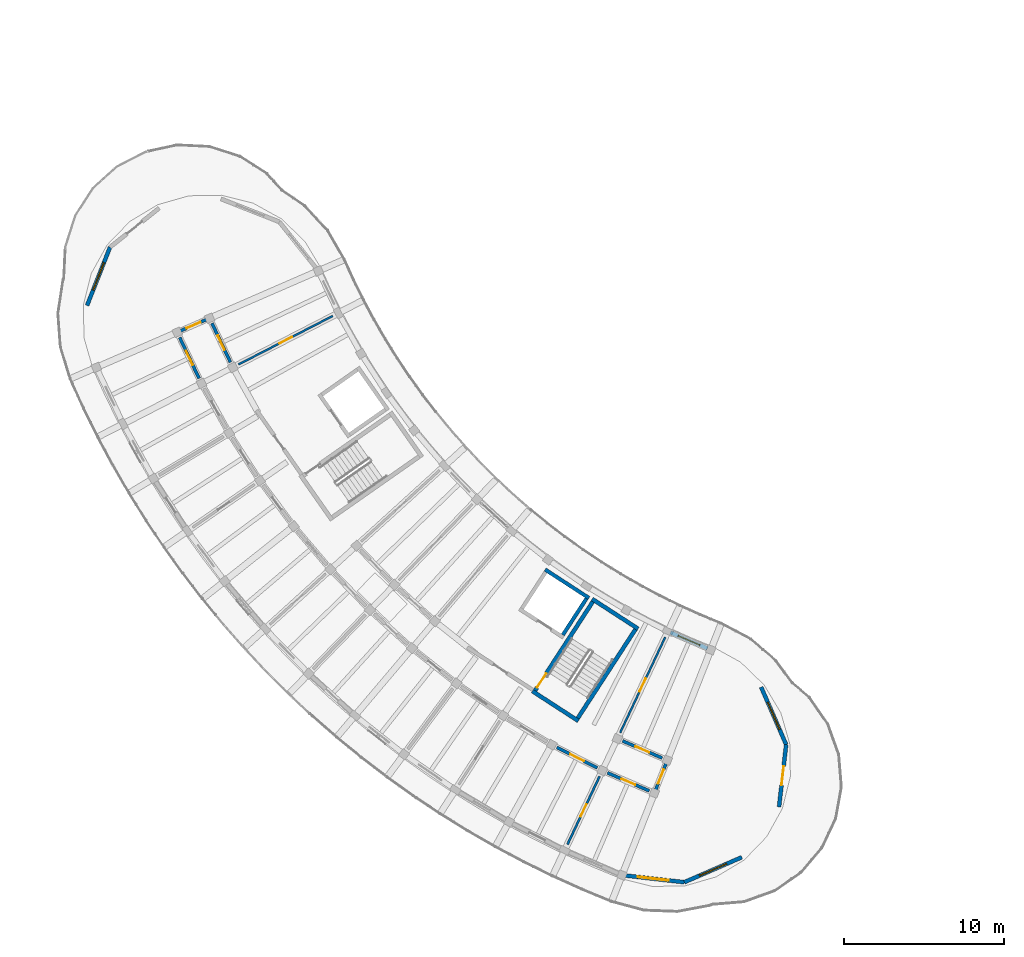
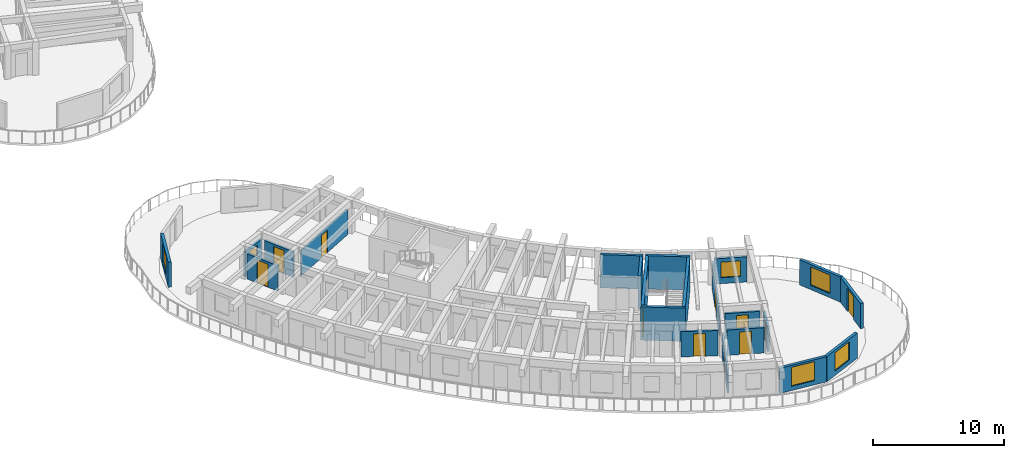
# One storey, part 24 of 56: 22 walls, 12 doors, 5 windows, 17 openings.
"""IFC4 building model written with IfcOpenShell, lengths in metres."""

from ifc_helpers import new_model, si_unit, direction, frame, frame_2d, origin, place, context, subcontext, project, spatial, rectangle, extrude, material, layer, layer_set, type_object, element, fill, save


model = new_model("IFC4")

# Units and contexts
model_context = context("Model", 3, precision=1e-05, world=origin(), true_north=direction((0.0, 1.0)))
body_context = subcontext(model_context, "Body", "Model", "MODEL_VIEW")
ifc_project = project(units=[si_unit("LENGTHUNIT", "METRE"), si_unit("AREAUNIT", "SQUARE_METRE"), si_unit("VOLUMEUNIT", "CUBIC_METRE"), si_unit("PLANEANGLEUNIT", "RADIAN"), si_unit("MASSUNIT", "GRAM", prefix="KILO")], contexts=[model_context])

# Site, building, storey
site_placement = place(None, origin())
site = spatial("IfcSite", under=ifc_project, at=site_placement, CompositionType="ELEMENT")
building_placement = place(site_placement, origin())
building = spatial("IfcBuilding", under=site, at=building_placement, Name="Tanwirah Colonnade Gardens", CompositionType="ELEMENT")
storey_placement = place(building_placement, frame((0.0, 0.0, 29.0)))
storey = spatial("IfcBuildingStorey", under=building, at=storey_placement, Name="L08", CompositionType="ELEMENT", Elevation=29.0)

# Wall, opening, window
ifc_material_1 = material(Name="Limestone architectural precast concrete C40/50", Category="masonry")
ifc_layer_1 = layer(ifc_material_1, 0.2451171875)
ifc_layer_set_1 = layer_set([ifc_layer_1], Name="Limestone architectural precast concrete C40/50")
wall_type_1 = type_object("IfcWallType", Name="EW-PC245", PredefinedType="SOLIDWALL", material=ifc_layer_set_1)
wall_1_placement = place(storey_placement, frame((46.1904296875, 24.2314453125, 0.0), z_axis=(0.0, 0.0, 1.0), x_axis=(0.917932416464, -0.396736787813, 0.0)))
wall_1 = element("IfcWall", 1, at=wall_1_placement, inside=storey, type_object=wall_type_1, Name="Block C L08 IN Precast Facade Wall 13", PredefinedType="SOLIDWALL", context=body_context, shape_type="SweptSolid", body=[
    extrude(rectangle(XDim=2.518798828125, YDim=0.2451171875, at=frame_2d((1.25927734375, 0.0))), origin(), (0.0, 0.0, 1.0), 2.35498046875),
])
opening_1_placement = place(wall_1_placement, frame((0.519287109375, 0.0, 0.550048828125)))
opening_1 = element("IfcOpeningElement", 2, at=opening_1_placement, cuts=wall_1, Name="Opening WIN-U09", PredefinedType="OPENING", context=body_context, shape_type="SweptSolid", body=[
    extrude(rectangle(XDim=1.47998046875, YDim=1.4599609375, at=frame_2d((0.739990234375, 0.72998046875))), frame((0.0, 0.132568359375, 0.0), z_axis=(0.0, -1.0, 0.0), x_axis=(1.0, 0.0, 0.0)), (0.0, 0.0, 1.0), 0.26513671875),
])
ifc_material_2 = material(Name="Thermally broken bronze aluminium and solar low-E double glazing", Category="aluminium")
window_type_1 = type_object("IfcWindowType", Name="WIN-U09", PartitioningType="DOUBLE_PANEL_VERTICAL", PredefinedType="WINDOW", material=ifc_material_2)
window_1_placement = place(opening_1_placement, origin())
window_1 = element("IfcWindow", 3, at=window_1_placement, inside=storey, type_object=window_type_1, Name="Facade window C-L08-IN-13", OverallHeight=1.4599609375, OverallWidth=1.47998046875, PartitioningType="SINGLE_PANEL", PredefinedType="WINDOW", context=body_context, shape_type="SweptSolid", body=[
    extrude(rectangle(XDim=1.47998046875, YDim=1.4599609375, at=frame_2d((0.739990234375, 0.72998046875))), frame((0.0, 0.030029296875, 0.0), z_axis=(0.0, -1.0, 0.0), x_axis=(1.0, 0.0, 0.0)), (0.0, 0.0, 1.0), 0.06005859375),
])
fill(opening_1, window_1)

wall_2_placement = place(storey_placement, frame((9.8115234375, 44.61962890625, 0.0), z_axis=(0.0, 0.0, 1.0), x_axis=(0.366452412926, 0.930436794769, 0.0)))
wall_2 = element("IfcWall", 4, at=wall_2_placement, inside=storey, type_object=wall_type_1, Name="Block C L08 START Rounded End Wall 1", PredefinedType="SOLIDWALL", context=body_context, shape_type="SweptSolid", body=[
    extrude(rectangle(XDim=3.908203125, YDim=0.2451171875, at=frame_2d((1.9541015625, 0.0))), origin(), (0.0, 0.0, 1.0), 2.35498046875),
])
opening_2_placement = place(wall_2_placement, frame((1.029052734375, 0.0, 0.39990234375)))
opening_2 = element("IfcOpeningElement", 5, at=opening_2_placement, cuts=wall_2, Name="Opening WIN-END1", PredefinedType="OPENING", context=body_context, shape_type="SweptSolid", body=[
    extrude(rectangle(XDim=1.85009765625, YDim=1.719970703125, at=frame_2d((0.925048828125, 0.85986328125))), frame((0.0, 0.132568359375, 0.0), z_axis=(0.0, -1.0, 0.0), x_axis=(1.0, 0.0, 0.0)), (0.0, 0.0, 1.0), 0.26513671875),
])
window_type_2 = type_object("IfcWindowType", Name="WIN-END1", PartitioningType="TRIPLE_PANEL_VERTICAL", PredefinedType="WINDOW", material=ifc_material_2)
window_2_placement = place(opening_2_placement, origin())
window_2 = element("IfcWindow", 6, at=window_2_placement, inside=storey, type_object=window_type_2, Name="Rounded corner window C-L08-START-1", OverallHeight=1.719970703125, OverallWidth=1.85009765625, PartitioningType="SINGLE_PANEL", PredefinedType="WINDOW", context=body_context, shape_type="SweptSolid", body=[
    extrude(rectangle(XDim=1.85009765625, YDim=1.719970703125, at=frame_2d((0.925048828125, 0.85986328125))), frame((0.0, 0.030029296875, 0.0), z_axis=(0.0, -1.0, 0.0), x_axis=(1.0, 0.0, 0.0)), (0.0, 0.0, 1.0), 0.06005859375),
])
fill(opening_2, window_2)

wall_3_placement = place(storey_placement, frame((51.8505859375, 20.818359375, 0.0), z_axis=(0.0, 0.0, 1.0), x_axis=(0.398723827264, -0.917071049359, 0.0)))
wall_3 = element("IfcWall", 7, at=wall_3_placement, inside=storey, type_object=wall_type_1, Name="Block C L08 END Rounded End Wall 1", PredefinedType="SOLIDWALL", context=body_context, shape_type="SweptSolid", body=[
    extrude(rectangle(XDim=3.908447265625, YDim=0.2451171875, at=frame_2d((1.9541015625, 0.0))), origin(), (0.0, 0.0, 1.0), 2.35498046875),
])
opening_3_placement = place(wall_3_placement, frame((1.029052734375, 0.0, 0.39990234375)))
opening_3 = element("IfcOpeningElement", 8, at=opening_3_placement, cuts=wall_3, Name="Opening WIN-END1", PredefinedType="OPENING", context=body_context, shape_type="SweptSolid", body=[
    extrude(rectangle(XDim=1.85009765625, YDim=1.719970703125, at=frame_2d((0.925048828125, 0.85986328125))), frame((0.0, 0.132568359375, 0.0), z_axis=(0.0, -1.0, 0.0), x_axis=(1.0, 0.0, 0.0)), (0.0, 0.0, 1.0), 0.26513671875),
])
window_3_placement = place(opening_3_placement, origin())
window_3 = element("IfcWindow", 9, at=window_3_placement, inside=storey, type_object=window_type_2, Name="Rounded corner window C-L08-END-1", OverallHeight=1.719970703125, OverallWidth=1.85009765625, PartitioningType="SINGLE_PANEL", PredefinedType="WINDOW", context=body_context, shape_type="SweptSolid", body=[
    extrude(rectangle(XDim=1.85009765625, YDim=1.719970703125, at=frame_2d((0.925048828125, 0.85986328125))), frame((0.0, 0.030029296875, 0.0), z_axis=(0.0, -1.0, 0.0), x_axis=(1.0, 0.0, 0.0)), (0.0, 0.0, 1.0), 0.06005859375),
])
fill(opening_3, window_3)

# Wall, opening, door
wall_4_placement = place(storey_placement, frame((53.408935546875, 17.234130859375, 0.0), z_axis=(0.0, 0.0, 1.0), x_axis=(-0.113201245525, -0.993572079928, 0.0)))
wall_4 = element("IfcWall", 10, at=wall_4_placement, inside=storey, type_object=wall_type_1, Name="Block C L08 END Rounded End Wall 2", PredefinedType="SOLIDWALL", context=body_context, shape_type="SweptSolid", body=[
    extrude(rectangle(XDim=3.907958984375, YDim=0.2451171875, at=frame_2d((1.9541015625, 0.0))), origin(), (0.0, 0.0, 1.0), 2.35498046875),
])
opening_4_placement = place(wall_4_placement, frame((1.35400390625, 0.0, 0.0)))
opening_4 = element("IfcOpeningElement", 11, at=opening_4_placement, cuts=wall_4, Name="Opening L08-ED167", PredefinedType="OPENING", context=body_context, shape_type="SweptSolid", body=[
    extrude(rectangle(XDim=1.199951171875, YDim=2.14990234375, at=frame_2d((0.60009765625, 1.074951171875))), frame((0.0, 0.132568359375, 0.0), z_axis=(0.0, -1.0, 0.0), x_axis=(1.0, 0.0, 0.0)), (0.0, 0.0, 1.0), 0.26513671875),
])
ifc_material_3 = material(Name="Bronze aluminium glazed terrace door", Category="aluminium")
door_type_1 = type_object("IfcDoorType", Name="ED-TER120", OperationType="NOTDEFINED", PredefinedType="DOOR", material=ifc_material_3)
door_1_placement = place(opening_4_placement, origin())
door_1 = element("IfcDoor", 12, at=door_1_placement, inside=storey, type_object=door_type_1, Name="Stepped corner terrace door L08-ED167", OperationType="SINGLE_SWING_LEFT", OverallHeight=2.14990234375, OverallWidth=1.199951171875, PredefinedType="DOOR", context=body_context, shape_type="SweptSolid", body=[
    extrude(rectangle(XDim=1.199951171875, YDim=2.14990234375, at=frame_2d((0.60009765625, 1.074951171875))), frame((0.0, 0.02490234375, 0.0), z_axis=(0.0, -1.0, 0.0), x_axis=(1.0, 0.0, 0.0)), (0.0, 0.0, 1.0), 0.050048828125),
])
fill(opening_4, door_1)

# Wall, opening, window
wall_5_placement = place(storey_placement, frame((50.641845703125, 10.20947265625, 0.0), z_axis=(0.0, 0.0, 1.0), x_axis=(-0.917061117534, -0.398746669838, 0.0)))
wall_5 = element("IfcWall", 13, at=wall_5_placement, inside=storey, type_object=wall_type_1, Name="Block C L08 END Rounded End Wall 4", PredefinedType="SOLIDWALL", context=body_context, shape_type="SweptSolid", body=[
    extrude(rectangle(XDim=3.908203125, YDim=0.2451171875, at=frame_2d((1.9541015625, 0.0))), origin(), (0.0, 0.0, 1.0), 2.35498046875),
])
opening_5_placement = place(wall_5_placement, frame((1.029052734375, 0.0, 0.39990234375)))
opening_5 = element("IfcOpeningElement", 14, at=opening_5_placement, cuts=wall_5, Name="Opening WIN-END1", PredefinedType="OPENING", context=body_context, shape_type="SweptSolid", body=[
    extrude(rectangle(XDim=1.85009765625, YDim=1.719970703125, at=frame_2d((0.925048828125, 0.85986328125))), frame((0.0, 0.132568359375, 0.0), z_axis=(0.0, -1.0, 0.0), x_axis=(1.0, 0.0, 0.0)), (0.0, 0.0, 1.0), 0.26513671875),
])
window_4_placement = place(opening_5_placement, origin())
window_4 = element("IfcWindow", 15, at=window_4_placement, inside=storey, type_object=window_type_2, Name="Rounded corner window C-L08-END-4", OverallHeight=1.719970703125, OverallWidth=1.85009765625, PartitioningType="SINGLE_PANEL", PredefinedType="WINDOW", context=body_context, shape_type="SweptSolid", body=[
    extrude(rectangle(XDim=1.85009765625, YDim=1.719970703125, at=frame_2d((0.925048828125, 0.85986328125))), frame((0.0, 0.030029296875, 0.0), z_axis=(0.0, -1.0, 0.0), x_axis=(1.0, 0.0, 0.0)), (0.0, 0.0, 1.0), 0.06005859375),
])
fill(opening_5, window_4)

wall_6_placement = place(storey_placement, frame((47.057861328125, 8.651123046875, 0.0), z_axis=(0.0, 0.0, 1.0), x_axis=(-0.993565852845, 0.113255887533, 0.0)))
wall_6 = element("IfcWall", 16, at=wall_6_placement, inside=storey, type_object=wall_type_1, Name="Block C L08 END Rounded End Wall 5", PredefinedType="SOLIDWALL", context=body_context, shape_type="SweptSolid", body=[
    extrude(rectangle(XDim=3.908203125, YDim=0.2451171875, at=frame_2d((1.9541015625, 0.0))), origin(), (0.0, 0.0, 1.0), 2.35498046875),
])
opening_6_placement = place(wall_6_placement, frame((0.97900390625, 0.0, 0.39990234375)))
opening_6 = element("IfcOpeningElement", 17, at=opening_6_placement, cuts=wall_6, Name="Opening WIN-END2", PredefinedType="OPENING", context=body_context, shape_type="SweptSolid", body=[
    extrude(rectangle(XDim=1.949951171875, YDim=1.780029296875, at=frame_2d((0.97509765625, 0.89013671875))), frame((0.0, 0.132568359375, 0.0), z_axis=(0.0, -1.0, 0.0), x_axis=(1.0, 0.0, 0.0)), (0.0, 0.0, 1.0), 0.26513671875),
])
window_type_3 = type_object("IfcWindowType", Name="WIN-END2", PartitioningType="TRIPLE_PANEL_VERTICAL", PredefinedType="WINDOW", material=ifc_material_2)
window_5_placement = place(opening_6_placement, origin())
window_5 = element("IfcWindow", 18, at=window_5_placement, inside=storey, type_object=window_type_3, Name="Rounded corner window C-L08-END-5", OverallHeight=1.780029296875, OverallWidth=1.949951171875, PartitioningType="SINGLE_PANEL", PredefinedType="WINDOW", context=body_context, shape_type="SweptSolid", body=[
    extrude(rectangle(XDim=1.949951171875, YDim=1.780029296875, at=frame_2d((0.97509765625, 0.89013671875))), frame((0.0, 0.030029296875, 0.0), z_axis=(0.0, -1.0, 0.0), x_axis=(1.0, 0.0, 0.0)), (0.0, 0.0, 1.0), 0.06005859375),
])
fill(opening_6, window_5)

# Wall, opening, door
ifc_material_4 = material(Name="Precast concrete C40/50", Category="concrete")
ifc_layer_2 = layer(ifc_material_4, 0.195068359375)
ifc_layer_set_2 = layer_set([ifc_layer_2], Name="Precast concrete C40/50")
wall_type_2 = type_object("IfcWallType", Name="IW-CORR195", PredefinedType="PARTITIONING", material=ifc_layer_set_2)
wall_7_placement = place(storey_placement, frame((15.5830078125, 42.63134765625, 0.0), z_axis=(0.0, 0.0, 1.0), x_axis=(0.428493237107, -0.903544988229, 0.0)))
wall_7 = element("IfcWall", 19, at=wall_7_placement, inside=storey, type_object=wall_type_2, Name="Block C L08 OUT Corridor Wall 2", PredefinedType="PARTITIONING", context=body_context, shape_type="SweptSolid", body=[
    extrude(rectangle(XDim=2.8369140625, YDim=0.195068359375, at=frame_2d((1.41845703125, 0.0))), origin(), (0.0, 0.0, 1.0), 2.3701171875),
])
opening_7_placement = place(wall_7_placement, frame((0.923583984375, 0.0, 0.0)))
opening_7 = element("IfcOpeningElement", 20, at=opening_7_placement, cuts=wall_7, Name="Opening L08-AD1575", PredefinedType="OPENING", context=body_context, shape_type="SweptSolid", body=[
    extrude(rectangle(XDim=0.989990234375, YDim=2.159912109375, at=frame_2d((0.4951171875, 1.080078125))), frame((0.0, 0.107421875, 0.0), z_axis=(0.0, -1.0, 0.0), x_axis=(1.0, 0.0, 0.0)), (0.0, 0.0, 1.0), 0.215087890625),
])
ifc_material_5 = material(Name="Solid oak fire-resisting apartment entrance door")
door_type_2 = type_object("IfcDoorType", Name="ID-FLT099", OperationType="NOTDEFINED", PredefinedType="DOOR", material=ifc_material_5)
door_2_placement = place(opening_7_placement, origin())
door_2 = element("IfcDoor", 21, at=door_2_placement, inside=storey, type_object=door_type_2, Name="Apartment corridor door L08-AD1575", OperationType="SINGLE_SWING_LEFT", OverallHeight=2.159912109375, OverallWidth=0.989990234375, PredefinedType="DOOR", context=body_context, shape_type="SweptSolid", body=[
    extrude(rectangle(XDim=0.989990234375, YDim=2.159912109375, at=frame_2d((0.4951171875, 1.080078125))), frame((0.0, 0.02490234375, 0.0), z_axis=(0.0, -1.0, 0.0), x_axis=(1.0, 0.0, 0.0)), (0.0, 0.0, 1.0), 0.050048828125),
])
fill(opening_7, door_2)

wall_8_placement = place(storey_placement, frame((17.600341796875, 43.508544921875, 0.0), z_axis=(0.0, 0.0, 1.0), x_axis=(0.428550049392, -0.903518043631, 0.0)))
wall_8 = element("IfcWall", 22, at=wall_8_placement, inside=storey, type_object=wall_type_2, Name="Block C L08 IN Corridor Wall 2", PredefinedType="PARTITIONING", context=body_context, shape_type="SweptSolid", body=[
    extrude(rectangle(XDim=2.69287109375, YDim=0.195068359375, at=frame_2d((1.346435546875, 0.0))), origin(), (0.0, 0.0, 1.0), 2.3701171875),
])
opening_8_placement = place(wall_8_placement, frame((0.8515625, 0.0, 0.0)))
opening_8 = element("IfcOpeningElement", 23, at=opening_8_placement, cuts=wall_8, Name="Opening L08-AD1576", PredefinedType="OPENING", context=body_context, shape_type="SweptSolid", body=[
    extrude(rectangle(XDim=0.989990234375, YDim=2.159912109375, at=frame_2d((0.4951171875, 1.080078125))), frame((0.0, 0.107421875, 0.0), z_axis=(0.0, -1.0, 0.0), x_axis=(1.0, 0.0, 0.0)), (0.0, 0.0, 1.0), 0.215087890625),
])
door_3_placement = place(opening_8_placement, origin())
door_3 = element("IfcDoor", 24, at=door_3_placement, inside=storey, type_object=door_type_2, Name="Apartment corridor door L08-AD1576", OperationType="SINGLE_SWING_RIGHT", OverallHeight=2.159912109375, OverallWidth=0.989990234375, PredefinedType="DOOR", context=body_context, shape_type="SweptSolid", body=[
    extrude(rectangle(XDim=0.989990234375, YDim=2.159912109375, at=frame_2d((0.4951171875, 1.080078125))), frame((0.0, 0.02490234375, 0.0), z_axis=(0.0, -1.0, 0.0), x_axis=(1.0, 0.0, 0.0)), (0.0, 0.0, 1.0), 0.050048828125),
])
fill(opening_8, door_3)

wall_9_placement = place(storey_placement, frame((39.107421875, 17.067138671875, 0.0), z_axis=(0.0, 0.0, 1.0), x_axis=(0.890030590607, -0.45590080915, 0.0)))
wall_9 = element("IfcWall", 25, at=wall_9_placement, inside=storey, type_object=wall_type_2, Name="Block C L08 OUT Corridor Wall 12", PredefinedType="PARTITIONING", context=body_context, shape_type="SweptSolid", body=[
    extrude(rectangle(XDim=2.837158203125, YDim=0.195068359375, at=frame_2d((1.41845703125, 0.0))), origin(), (0.0, 0.0, 1.0), 2.3701171875),
])
opening_9_placement = place(wall_9_placement, frame((0.943603515625, 0.0, 0.0)))
opening_9 = element("IfcOpeningElement", 26, at=opening_9_placement, cuts=wall_9, Name="Opening L08-AD1595", PredefinedType="OPENING", context=body_context, shape_type="SweptSolid", body=[
    extrude(rectangle(XDim=0.949951171875, YDim=2.1298828125, at=frame_2d((0.47509765625, 1.06494140625))), frame((0.0, 0.107421875, 0.0), z_axis=(0.0, -1.0, 0.0), x_axis=(1.0, 0.0, 0.0)), (0.0, 0.0, 1.0), 0.215087890625),
])
door_type_3 = type_object("IfcDoorType", Name="ID-FLT095", OperationType="NOTDEFINED", PredefinedType="DOOR", material=ifc_material_5)
door_4_placement = place(opening_9_placement, origin())
door_4 = element("IfcDoor", 27, at=door_4_placement, inside=storey, type_object=door_type_3, Name="Apartment corridor door L08-AD1595", OperationType="SINGLE_SWING_LEFT", OverallHeight=2.1298828125, OverallWidth=0.949951171875, PredefinedType="DOOR", context=body_context, shape_type="SweptSolid", body=[
    extrude(rectangle(XDim=0.949951171875, YDim=2.1298828125, at=frame_2d((0.47509765625, 1.06494140625))), frame((0.0, 0.02490234375, 0.0), z_axis=(0.0, -1.0, 0.0), x_axis=(1.0, 0.0, 0.0)), (0.0, 0.0, 1.0), 0.050048828125),
])
fill(opening_9, door_4)

wall_10_placement = place(storey_placement, frame((42.26513671875, 15.475341796875, 0.0), z_axis=(0.0, 0.0, 1.0), x_axis=(0.917943439406, -0.396711282991, 0.0)))
wall_10 = element("IfcWall", 28, at=wall_10_placement, inside=storey, type_object=wall_type_2, Name="Block C L08 OUT Corridor Wall 13", PredefinedType="PARTITIONING", context=body_context, shape_type="SweptSolid", body=[
    extrude(rectangle(XDim=2.837158203125, YDim=0.195068359375, at=frame_2d((1.41845703125, 0.0))), origin(), (0.0, 0.0, 1.0), 2.3701171875),
])
opening_10_placement = place(wall_10_placement, frame((0.95361328125, 0.0, 0.0)))
opening_10 = element("IfcOpeningElement", 29, at=opening_10_placement, cuts=wall_10, Name="Opening L08-AD1598", PredefinedType="OPENING", context=body_context, shape_type="SweptSolid", body=[
    extrude(rectangle(XDim=0.929931640625, YDim=2.1201171875, at=frame_2d((0.46484375, 1.06005859375))), frame((0.0, 0.107421875, 0.0), z_axis=(0.0, -1.0, 0.0), x_axis=(1.0, 0.0, 0.0)), (0.0, 0.0, 1.0), 0.215087890625),
])
door_type_4 = type_object("IfcDoorType", Name="ID-FLT093", OperationType="NOTDEFINED", PredefinedType="DOOR", material=ifc_material_5)
door_5_placement = place(opening_10_placement, origin())
door_5 = element("IfcDoor", 30, at=door_5_placement, inside=storey, type_object=door_type_4, Name="Apartment corridor door L08-AD1598", OperationType="SINGLE_SWING_RIGHT", OverallHeight=2.1201171875, OverallWidth=0.929931640625, PredefinedType="DOOR", context=body_context, shape_type="SweptSolid", body=[
    extrude(rectangle(XDim=0.929931640625, YDim=2.1201171875, at=frame_2d((0.46484375, 1.06005859375))), frame((0.0, 0.02490234375, 0.0), z_axis=(0.0, -1.0, 0.0), x_axis=(1.0, 0.0, 0.0)), (0.0, 0.0, 1.0), 0.050048828125),
])
fill(opening_10, door_5)

wall_11_placement = place(storey_placement, frame((43.20361328125, 17.465087890625, 0.0), z_axis=(0.0, 0.0, 1.0), x_axis=(0.91793557165, -0.39672948756, 0.0)))
wall_11 = element("IfcWall", 31, at=wall_11_placement, inside=storey, type_object=wall_type_2, Name="Block C L08 IN Corridor Wall 13", PredefinedType="PARTITIONING", context=body_context, shape_type="SweptSolid", body=[
    extrude(rectangle(XDim=2.69287109375, YDim=0.195068359375, at=frame_2d((1.346435546875, 0.0))), origin(), (0.0, 0.0, 1.0), 2.3701171875),
])
opening_11_placement = place(wall_11_placement, frame((0.881591796875, 0.0, 0.0)))
opening_11 = element("IfcOpeningElement", 32, at=opening_11_placement, cuts=wall_11, Name="Opening L08-AD1599", PredefinedType="OPENING", context=body_context, shape_type="SweptSolid", body=[
    extrude(rectangle(XDim=0.929931640625, YDim=2.1201171875, at=frame_2d((0.46484375, 1.06005859375))), frame((0.0, 0.107421875, 0.0), z_axis=(0.0, -1.0, 0.0), x_axis=(1.0, 0.0, 0.0)), (0.0, 0.0, 1.0), 0.215087890625),
])
door_6_placement = place(opening_11_placement, origin())
door_6 = element("IfcDoor", 33, at=door_6_placement, inside=storey, type_object=door_type_4, Name="Apartment corridor door L08-AD1599", OperationType="SINGLE_SWING_LEFT", OverallHeight=2.1201171875, OverallWidth=0.929931640625, PredefinedType="DOOR", context=body_context, shape_type="SweptSolid", body=[
    extrude(rectangle(XDim=0.929931640625, YDim=2.1201171875, at=frame_2d((0.46484375, 1.06005859375))), frame((0.0, 0.02490234375, 0.0), z_axis=(0.0, -1.0, 0.0), x_axis=(1.0, 0.0, 0.0)), (0.0, 0.0, 1.0), 0.050048828125),
])
fill(opening_11, door_6)

wall_12_placement = place(storey_placement, frame((17.404541015625, 43.804931640625, 0.0), z_axis=(0.0, 0.0, 1.0), x_axis=(-0.917051572108, -0.398768622253, 0.0)))
wall_12 = element("IfcWall", 34, at=wall_12_placement, inside=storey, type_object=wall_type_2, Name="Block C L08 CS Corner Suite Corridor Wall", PredefinedType="PARTITIONING", context=body_context, shape_type="SweptSolid", body=[
    extrude(rectangle(XDim=2.099853515625, YDim=0.195068359375, at=frame_2d((1.0498046875, 0.0))), origin(), (0.0, 0.0, 1.0), 2.3701171875),
])
opening_12_placement = place(wall_12_placement, frame((0.570068359375, 0.0, 0.0)))
opening_12 = element("IfcOpeningElement", 35, at=opening_12_placement, cuts=wall_12, Name="Opening L08-CD1600", PredefinedType="OPENING", context=body_context, shape_type="SweptSolid", body=[
    extrude(rectangle(XDim=0.949951171875, YDim=2.1298828125, at=frame_2d((0.47509765625, 1.06494140625))), frame((0.0, 0.107421875, 0.0), z_axis=(0.0, -1.0, 0.0), x_axis=(1.0, 0.0, 0.0)), (0.0, 0.0, 1.0), 0.215087890625),
])
door_7_placement = place(opening_12_placement, origin())
door_7 = element("IfcDoor", 36, at=door_7_placement, inside=storey, type_object=door_type_3, Name="Corner suite entrance door L08-CD1600", OperationType="SINGLE_SWING_LEFT", OverallHeight=2.1298828125, OverallWidth=0.949951171875, PredefinedType="DOOR", context=body_context, shape_type="SweptSolid", body=[
    extrude(rectangle(XDim=0.949951171875, YDim=2.1298828125, at=frame_2d((0.47509765625, 1.06494140625))), frame((0.0, 0.02490234375, 0.0), z_axis=(0.0, -1.0, 0.0), x_axis=(1.0, 0.0, 0.0)), (0.0, 0.0, 1.0), 0.050048828125),
])
fill(opening_12, door_7)

wall_13_placement = place(storey_placement, frame((45.978515625, 16.21142578125, 0.0), z_axis=(0.0, 0.0, 1.0), x_axis=(-0.366454372645, -0.930436022932, 0.0)))
wall_13 = element("IfcWall", 37, at=wall_13_placement, inside=storey, type_object=wall_type_2, Name="Block C L08 CE Corner Suite Corridor Wall", PredefinedType="PARTITIONING", context=body_context, shape_type="SweptSolid", body=[
    extrude(rectangle(XDim=2.099853515625, YDim=0.195068359375, at=frame_2d((1.0498046875, 0.0))), origin(), (0.0, 0.0, 1.0), 2.3701171875),
])
opening_13_placement = place(wall_13_placement, frame((0.570068359375, 0.0, 0.0)))
opening_13 = element("IfcOpeningElement", 38, at=opening_13_placement, cuts=wall_13, Name="Opening L08-CD1601", PredefinedType="OPENING", context=body_context, shape_type="SweptSolid", body=[
    extrude(rectangle(XDim=0.949951171875, YDim=2.1298828125, at=frame_2d((0.47509765625, 1.06494140625))), frame((0.0, 0.107421875, 0.0), z_axis=(0.0, -1.0, 0.0), x_axis=(1.0, 0.0, 0.0)), (0.0, 0.0, 1.0), 0.215087890625),
])
door_8_placement = place(opening_13_placement, origin())
door_8 = element("IfcDoor", 39, at=door_8_placement, inside=storey, type_object=door_type_3, Name="Corner suite entrance door L08-CD1601", OperationType="SINGLE_SWING_RIGHT", OverallHeight=2.1298828125, OverallWidth=0.949951171875, PredefinedType="DOOR", context=body_context, shape_type="SweptSolid", body=[
    extrude(rectangle(XDim=0.949951171875, YDim=2.1298828125, at=frame_2d((0.47509765625, 1.06494140625))), frame((0.0, 0.02490234375, 0.0), z_axis=(0.0, -1.0, 0.0), x_axis=(1.0, 0.0, 0.0)), (0.0, 0.0, 1.0), 0.050048828125),
])
fill(opening_13, door_8)

ifc_material_6 = material(Name="Moisture-resistant gypsum stud partition")
ifc_layer_3 = layer(ifc_material_6, 0.125)
ifc_layer_set_3 = layer_set([ifc_layer_3], Name="Moisture-resistant gypsum stud partition")
wall_type_3 = type_object("IfcWallType", Name="IW-INT125", PredefinedType="PARTITIONING", material=ifc_layer_set_3)
wall_14_placement = place(storey_placement, frame((25.127685546875, 43.96435546875, 0.0), z_axis=(0.0, 0.0, 1.0), x_axis=(-0.889022010753, -0.457864460727, 0.0)))
wall_14 = element("IfcWall", 40, at=wall_14_placement, inside=storey, type_object=wall_type_3, Name="Block C L08 Inner Radial Partition 2", PredefinedType="PARTITIONING", context=body_context, shape_type="SweptSolid", body=[
    extrude(rectangle(XDim=6.60009765625, YDim=0.125, at=frame_2d((3.300048828125, 0.0))), origin(), (0.0, 0.0, 1.0), 2.3701171875),
])
opening_14_placement = place(wall_14_placement, frame((2.864990234375, 0.0, 0.0)))
opening_14 = element("IfcOpeningElement", 41, at=opening_14_placement, cuts=wall_14, Name="Opening L08-RD1577", PredefinedType="OPENING", context=body_context, shape_type="SweptSolid", body=[
    extrude(rectangle(XDim=0.8701171875, YDim=2.080078125, at=frame_2d((0.43505859375, 1.0400390625))), frame((0.0, 0.072509765625, 0.0), z_axis=(0.0, -1.0, 0.0), x_axis=(1.0, 0.0, 0.0)), (0.0, 0.0, 1.0), 0.14501953125),
])
ifc_material_7 = material(Name="Painted hardwood study door", Category="wood")
door_type_5 = type_object("IfcDoorType", Name="ID-RM087", OperationType="NOTDEFINED", PredefinedType="DOOR", material=ifc_material_7)
door_9_placement = place(opening_14_placement, origin())
door_9 = element("IfcDoor", 42, at=door_9_placement, inside=storey, type_object=door_type_5, Name="Internal apartment door L08-RD1577", OperationType="SINGLE_SWING_RIGHT", OverallHeight=2.080078125, OverallWidth=0.8701171875, PredefinedType="DOOR", context=body_context, shape_type="SweptSolid", body=[
    extrude(rectangle(XDim=0.8701171875, YDim=2.080078125, at=frame_2d((0.43505859375, 1.0400390625))), frame((0.0, 0.02490234375, 0.0), z_axis=(0.0, -1.0, 0.0), x_axis=(1.0, 0.0, 0.0)), (0.0, 0.0, 1.0), 0.050048828125),
])
fill(opening_14, door_9)

wall_15_placement = place(storey_placement, frame((45.868408203125, 23.935302734375, 0.0), z_axis=(0.0, 0.0, 1.0), x_axis=(-0.426573573579, -0.904452865728, 0.0)))
wall_15 = element("IfcWall", 43, at=wall_15_placement, inside=storey, type_object=wall_type_3, Name="Block C L08 Inner Radial Partition 12", PredefinedType="PARTITIONING", context=body_context, shape_type="SweptSolid", body=[
    extrude(rectangle(XDim=6.60009765625, YDim=0.125, at=frame_2d((3.300048828125, 0.0))), origin(), (0.0, 0.0, 1.0), 2.3701171875),
])
opening_15_placement = place(wall_15_placement, frame((2.844970703125, 0.0, 0.0)))
opening_15 = element("IfcOpeningElement", 44, at=opening_15_placement, cuts=wall_15, Name="Opening L08-RD1597", PredefinedType="OPENING", context=body_context, shape_type="SweptSolid", body=[
    extrude(rectangle(XDim=0.909912109375, YDim=2.10009765625, at=frame_2d((0.455078125, 1.050048828125))), frame((0.0, 0.072509765625, 0.0), z_axis=(0.0, -1.0, 0.0), x_axis=(1.0, 0.0, 0.0)), (0.0, 0.0, 1.0), 0.14501953125),
])
ifc_material_8 = material(Name="Painted hardwood internal room door", Category="wood")
door_type_6 = type_object("IfcDoorType", Name="ID-RM091", OperationType="NOTDEFINED", PredefinedType="DOOR", material=ifc_material_8)
door_10_placement = place(opening_15_placement, origin())
door_10 = element("IfcDoor", 45, at=door_10_placement, inside=storey, type_object=door_type_6, Name="Internal apartment door L08-RD1597", OperationType="SINGLE_SWING_RIGHT", OverallHeight=2.10009765625, OverallWidth=0.909912109375, PredefinedType="DOOR", context=body_context, shape_type="SweptSolid", body=[
    extrude(rectangle(XDim=0.909912109375, YDim=2.10009765625, at=frame_2d((0.455078125, 1.050048828125))), frame((0.0, 0.02490234375, 0.0), z_axis=(0.0, -1.0, 0.0), x_axis=(1.0, 0.0, 0.0)), (0.0, 0.0, 1.0), 0.050048828125),
])
fill(opening_15, door_10)

ifc_material_9 = material(Name="Water-resistant acoustic plumbing partition")
ifc_layer_4 = layer(ifc_material_9, 0.139892578125)
ifc_layer_set_4 = layer_set([ifc_layer_4], Name="Water-resistant acoustic plumbing partition")
wall_type_4 = type_object("IfcWallType", Name="IW-WET140", PredefinedType="PLUMBINGWALL", material=ifc_layer_set_4)
wall_16_placement = place(storey_placement, frame((41.7734375, 15.25244140625, 0.0), z_axis=(0.0, 0.0, 1.0), x_axis=(-0.426567365945, -0.904455793453, 0.0)))
wall_16 = element("IfcWall", 46, at=wall_16_placement, inside=storey, type_object=wall_type_4, Name="Block C L08 Radial Partition 12", PredefinedType="PLUMBINGWALL", context=body_context, shape_type="SweptSolid", body=[
    extrude(rectangle(XDim=4.699951171875, YDim=0.139892578125, at=frame_2d((2.35009765625, 0.0))), origin(), (0.0, 0.0, 1.0), 2.3701171875),
])
opening_16_placement = place(wall_16_placement, frame((1.925048828125, 0.0, 0.0)))
opening_16 = element("IfcOpeningElement", 47, at=opening_16_placement, cuts=wall_16, Name="Opening L08-RD1596", PredefinedType="OPENING", context=body_context, shape_type="SweptSolid", body=[
    extrude(rectangle(XDim=0.85009765625, YDim=2.050048828125, at=frame_2d((0.425048828125, 1.02490234375))), frame((0.0, 0.079833984375, 0.0), z_axis=(0.0, -1.0, 0.0), x_axis=(1.0, 0.0, 0.0)), (0.0, 0.0, 1.0), 0.159912109375),
])
ifc_material_10 = material(Name="Moisture-resistant en-suite door")
door_type_7 = type_object("IfcDoorType", Name="ID-WET085", OperationType="NOTDEFINED", PredefinedType="DOOR", material=ifc_material_10)
door_11_placement = place(opening_16_placement, origin())
door_11 = element("IfcDoor", 48, at=door_11_placement, inside=storey, type_object=door_type_7, Name="Internal apartment door L08-RD1596", OperationType="SINGLE_SWING_LEFT", OverallHeight=2.050048828125, OverallWidth=0.85009765625, PredefinedType="DOOR", context=body_context, shape_type="SweptSolid", body=[
    extrude(rectangle(XDim=0.85009765625, YDim=2.050048828125, at=frame_2d((0.425048828125, 1.02490234375))), frame((0.0, 0.02490234375, 0.0), z_axis=(0.0, -1.0, 0.0), x_axis=(1.0, 0.0, 0.0)), (0.0, 0.0, 1.0), 0.050048828125),
])
fill(opening_16, door_11)

# Walls
ifc_material_11 = material(Name="Concrete C45/55", Category="concrete")
ifc_layer_5 = layer(ifc_material_11, 0.25)
ifc_layer_set_5 = layer_set([ifc_layer_5], Name="Concrete C45/55")
wall_type_5 = type_object("IfcWallType", Name="SW-CORE250", PredefinedType="SHEAR", material=ifc_layer_set_5)
wall_17_placement = place(storey_placement, frame((40.412841796875, 18.881591796875, 0.0), z_axis=(0.0, 0.0, 1.0), x_axis=(0.544629435258, 0.838676802022, 0.0)))
element("IfcWall", 49, at=wall_17_placement, inside=storey, type_object=wall_type_5, Name="CORE-C2 L08 Stair Shaft Shear Wall LEFT", PredefinedType="SHEAR", context=body_context, shape_type="SweptSolid", body=[
    extrude(rectangle(XDim=6.599853515625, YDim=0.25, at=frame_2d((3.2998046875, 0.0))), origin(), (0.0, 0.0, 1.0), 3.110107421875),
])
wall_18_placement = place(storey_placement, frame((44.180419921875, 24.45361328125, 0.0), z_axis=(0.0, 0.0, 1.0), x_axis=(-0.838699580527, 0.544594356953, 0.0)))
element("IfcWall", 50, at=wall_18_placement, inside=storey, type_object=wall_type_5, Name="CORE-C2 L08 Stair Shaft Shear Wall FAR", PredefinedType="SHEAR", context=body_context, shape_type="SweptSolid", body=[
    extrude(rectangle(XDim=3.420166015625, YDim=0.25, at=frame_2d((1.7099609375, 0.0))), origin(), (0.0, 0.0, 1.0), 3.110107421875),
])
wall_19_placement = place(storey_placement, frame((40.449462890625, 18.708740234375, 0.0), z_axis=(0.0, 0.0, 1.0), x_axis=(-0.838678407117, 0.544626963559, 0.0)))
element("IfcWall", 51, at=wall_19_placement, inside=storey, type_object=wall_type_5, Name="CORE-C2 L08 Stair Shaft Shear Wall NEAR", PredefinedType="SHEAR", context=body_context, shape_type="SweptSolid", body=[
    extrude(rectangle(XDim=3.419921875, YDim=0.25, at=frame_2d((1.7099609375, 0.0))), origin(), (0.0, 0.0, 1.0), 3.110107421875),
])

# Wall, opening, door
wall_20_placement = place(storey_placement, frame((37.754150390625, 20.608154296875, 0.0), z_axis=(0.0, 0.0, 1.0), x_axis=(0.544655453679, 0.838659905312, 0.0)))
wall_20 = element("IfcWall", 52, at=wall_20_placement, inside=storey, type_object=wall_type_5, Name="CORE-C2 L08 Stair Shaft Shear Wall RIGHT", PredefinedType="SHEAR", context=body_context, shape_type="SweptSolid", body=[
    extrude(rectangle(XDim=6.60009765625, YDim=0.25, at=frame_2d((3.300048828125, 0.0))), origin(), (0.0, 0.0, 1.0), 3.110107421875),
])
opening_17_placement = place(wall_20_placement, frame((0.219970703125, 0.0, 0.0)))
opening_17 = element("IfcOpeningElement", 53, at=opening_17_placement, cuts=wall_20, Name="Opening L08-SD154", PredefinedType="OPENING", context=body_context, shape_type="SweptSolid", body=[
    extrude(rectangle(XDim=1.050048828125, YDim=2.14990234375, at=frame_2d((0.52490234375, 1.074951171875))), frame((0.0, 0.135009765625, 0.0), z_axis=(0.0, -1.0, 0.0), x_axis=(1.0, 0.0, 0.0)), (0.0, 0.0, 1.0), 0.27001953125),
])
ifc_material_12 = material(Name="Steel fire-resisting stair enclosure door", Category="steel")
door_type_8 = type_object("IfcDoorType", Name="ID-ST105", OperationType="NOTDEFINED", PredefinedType="DOOR", material=ifc_material_12)
door_12_placement = place(opening_17_placement, origin())
door_12 = element("IfcDoor", 54, at=door_12_placement, inside=storey, type_object=door_type_8, Name="CORE-C2 L08 Stair Fire Door L08-SD154", OperationType="SINGLE_SWING_LEFT", OverallHeight=2.14990234375, OverallWidth=1.050048828125, PredefinedType="DOOR", context=body_context, shape_type="SweptSolid", body=[
    extrude(rectangle(XDim=1.050048828125, YDim=2.14990234375, at=frame_2d((0.52490234375, 1.074951171875))), frame((0.0, 0.02490234375, 0.0), z_axis=(0.0, -1.0, 0.0), x_axis=(1.0, 0.0, 0.0)), (0.0, 0.0, 1.0), 0.050048828125),
])
fill(opening_17, door_12)

# Walls
ifc_layer_6 = layer(ifc_material_11, 0.22998046875)
ifc_layer_set_6 = layer_set([ifc_layer_6], Name="Concrete C45/55")
wall_type_6 = type_object("IfcWallType", Name="SW-LIFT230", PredefinedType="SHEAR", material=ifc_layer_set_6)
wall_21_placement = place(storey_placement, frame((41.111572265625, 26.374755859375, 0.0), z_axis=(0.0, 0.0, 1.0), x_axis=(-0.838638623546, 0.544688221919, 0.0)))
element("IfcWall", 55, at=wall_21_placement, inside=storey, type_object=wall_type_6, Name="CORE-C2 L08 Lift Shaft Wall BACK", PredefinedType="SHEAR", context=body_context, shape_type="SweptSolid", body=[
    extrude(rectangle(XDim=3.260009765625, YDim=0.22998046875, at=frame_2d((1.6298828125, 0.0))), origin(), (0.0, 0.0, 1.0), 3.110107421875),
])
wall_22_placement = place(storey_placement, frame((39.48193359375, 24.07666015625, 0.0), z_axis=(0.0, 0.0, 1.0), x_axis=(0.544686387605, 0.838639814913, 0.0)))
element("IfcWall", 56, at=wall_22_placement, inside=storey, type_object=wall_type_6, Name="CORE-C2 L08 Lift Shaft Wall SIDEA", PredefinedType="SHEAR", context=body_context, shape_type="SweptSolid", body=[
    extrude(rectangle(XDim=2.7001953125, YDim=0.22998046875, at=frame_2d((1.35009765625, 0.0))), origin(), (0.0, 0.0, 1.0), 3.110107421875),
])

save(model, "model.ifc")
